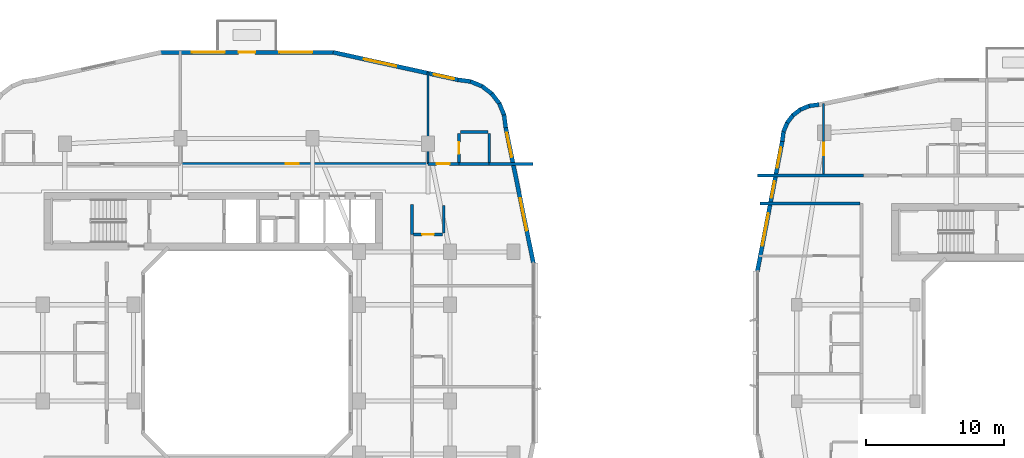
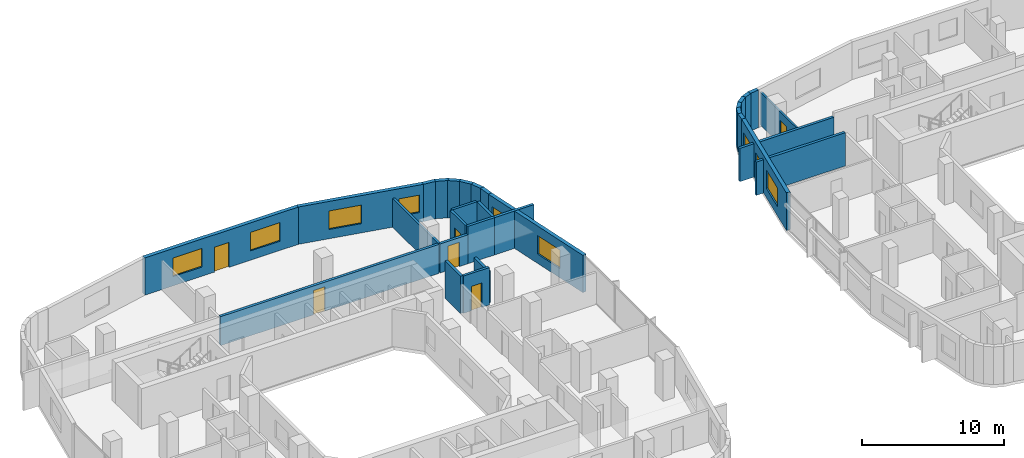
# One storey, part 12 of 22: 30 walls, 9 windows, 6 doors, 15 openings.
"""IFC4 building model written with IfcOpenShell, lengths in metres."""

from ifc_helpers import new_model, si_unit, derived_unit, direction, frame, frame_2d, origin, place, context, subcontext, project, spatial, rectangle, extrude, material, layer, layer_set, type_object, element, fill, save


model = new_model("IFC4")

# Units and contexts
model_context = context("Model", 3, precision=1e-05, world=origin(), true_north=direction((0.0, 1.0)))
body_context = subcontext(model_context, "Body", "Model", "MODEL_VIEW")
ifc_project = project(units=[si_unit("LENGTHUNIT", "METRE"), si_unit("AREAUNIT", "SQUARE_METRE"), si_unit("VOLUMEUNIT", "CUBIC_METRE"), si_unit("PLANEANGLEUNIT", "RADIAN"), si_unit("MASSUNIT", "GRAM", prefix="KILO"), derived_unit("THERMALTRANSMITTANCEUNIT", [(si_unit("POWERUNIT", "WATT"), 1), (si_unit("LENGTHUNIT", "METRE"), -2), (si_unit("THERMODYNAMICTEMPERATUREUNIT", "KELVIN"), -1)])], contexts=[model_context])

# Site, building, storey
site_placement = place(None, origin())
site = spatial("IfcSite", under=ifc_project, at=site_placement, CompositionType="ELEMENT")
building_placement = place(site_placement, origin())
building = spatial("IfcBuilding", under=site, at=building_placement, Name="Kivonza Crest Hotel", CompositionType="ELEMENT")
storey_placement = place(building_placement, frame((0.0, 0.0, 59.0)))
storey = spatial("IfcBuildingStorey", under=building, at=storey_placement, Name="L15", CompositionType="ELEMENT", Elevation=59.0)

# Wall
ifc_material_1 = material(Name="High-density acoustic masonry inter-tenancy wall", Category="masonry")
ifc_layer_1 = layer(ifc_material_1, 0.179931640625)
ifc_layer_set_1 = layer_set([ifc_layer_1], Name="High-density acoustic masonry inter-tenancy wall")
wall_type_1 = type_object("IfcWallType", Name="WL-ACOU-180", PredefinedType="SOLIDWALL", material=ifc_layer_set_1)
wall_1_placement = place(storey_placement, frame((34.199951171875, 38.75, 0.0), z_axis=(0.0, 0.0, 1.0), x_axis=(0.0, 1.0, 0.0)))
element("IfcWall", 1, at=wall_1_placement, inside=storey, type_object=wall_type_1, Name="L15 interior partition WA-L15-T1N-DIV2", PredefinedType="SOLIDWALL", context=body_context, shape_type="SweptSolid", body=[
    extrude(rectangle(XDim=6.674072265625, YDim=0.179931640625, at=frame_2d((3.3369140625, 0.0))), origin(), (0.0, 0.0, 1.0), 2.4951171875),
])

# Wall, opening, door
ifc_material_2 = material(Name="Autoclaved aerated concrete blockwork", Category="masonry")
ifc_layer_2 = layer(ifc_material_2, 0.219970703125)
ifc_layer_set_2 = layer_set([ifc_layer_2], Name="Autoclaved aerated concrete blockwork")
wall_type_2 = type_object("IfcWallType", Name="WL-ACOU-220", PredefinedType="SOLIDWALL", material=ifc_layer_set_2)
wall_2_placement = place(storey_placement, frame((16.300048828125, 38.75, 0.0), z_axis=(0.0, 0.0, 1.0), x_axis=(1.0, 0.0, 0.0)))
wall_2 = element("IfcWall", 2, at=wall_2_placement, inside=storey, type_object=wall_type_2, Name="L15 interior partition WA-L15-HK-MAIN-S", PredefinedType="SOLIDWALL", context=body_context, shape_type="SweptSolid", body=[
    extrude(rectangle(XDim=17.800048828125, YDim=0.219970703125, at=frame_2d((8.89990234375, 0.0))), origin(), (0.0, 0.0, 1.0), 2.4951171875),
])
opening_1_placement = place(wall_2_placement, frame((7.572998046875, 0.0, 0.0)))
opening_1 = element("IfcOpeningElement", 3, at=opening_1_placement, cuts=wall_2, Name="Opening DF-60S", PredefinedType="OPENING", context=body_context, shape_type="SweptSolid", body=[
    extrude(rectangle(XDim=0.949951171875, YDim=2.10009765625, at=frame_2d((0.47509765625, 1.050048828125))), frame((0.0, 0.1201171875, 0.0), z_axis=(0.0, -1.0, 0.0), x_axis=(1.0, 0.0, 0.0)), (0.0, 0.0, 1.0), 0.239990234375),
])
ifc_material_3 = material(Name="Hardwood timber oak", Category="wood")
door_type_1 = type_object("IfcDoorType", Name="DR-FD60-950", OperationType="NOTDEFINED", PredefinedType="DOOR", material=ifc_material_3)
door_1_placement = place(opening_1_placement, origin())
door_1 = element("IfcDoor", 4, at=door_1_placement, inside=storey, type_object=door_type_1, Name="L15 Housekeeping and Linen Room door", OperationType="SINGLE_SWING_RIGHT", OverallHeight=2.10009765625, OverallWidth=0.949951171875, PredefinedType="DOOR", context=body_context, shape_type="SweptSolid", body=[
    extrude(rectangle(XDim=0.949951171875, YDim=2.10009765625, at=frame_2d((0.47509765625, 1.050048828125))), frame((0.0, 0.02490234375, 0.0), z_axis=(0.0, -1.0, 0.0), x_axis=(1.0, 0.0, 0.0)), (0.0, 0.0, 1.0), 0.050048828125),
])
fill(opening_1, door_1)

# Walls
wall_3_placement = place(storey_placement, frame((38.64990234375, 38.75, 0.0), z_axis=(0.0, 0.0, 1.0), x_axis=(1.0, 0.0, 0.0)))
element("IfcWall", 5, at=wall_3_placement, inside=storey, type_object=wall_type_2, Name="L15 interior partition WA-L15-N02-XCORR", PredefinedType="SOLIDWALL", context=body_context, shape_type="SweptSolid", body=[
    extrude(rectangle(XDim=3.190185546875, YDim=0.219970703125, at=frame_2d((1.59521484375, 0.0))), origin(), (0.0, 0.0, 1.0), 3.219970703125),
])
wall_4_placement = place(storey_placement, frame((36.449951171875, 38.75, 0.0), z_axis=(0.0, 0.0, 1.0), x_axis=(1.0, 0.0, 0.0)))
element("IfcWall", 6, at=wall_4_placement, inside=storey, type_object=wall_type_2, Name="L15 interior partition WA-L15-N02-BCORR", PredefinedType="SOLIDWALL", context=body_context, shape_type="SweptSolid", body=[
    extrude(rectangle(XDim=2.199951171875, YDim=0.219970703125, at=frame_2d((1.10009765625, 0.0))), origin(), (0.0, 0.0, 1.0), 3.219970703125),
])

# Wall, opening, door
wall_5_placement = place(storey_placement, frame((34.199951171875, 38.75, 0.0), z_axis=(0.0, 0.0, 1.0), x_axis=(1.0, 0.0, 0.0)))
wall_5 = element("IfcWall", 7, at=wall_5_placement, inside=storey, type_object=wall_type_2, Name="L15 interior partition WA-L15-N02-MCORR", PredefinedType="SOLIDWALL", context=body_context, shape_type="SweptSolid", body=[
    extrude(rectangle(XDim=2.25, YDim=0.219970703125, at=frame_2d((1.125, 0.0))), origin(), (0.0, 0.0, 1.0), 2.4951171875),
])
opening_2_placement = place(wall_5_placement, frame((0.6298828125, 0.0, 0.0)))
opening_2 = element("IfcOpeningElement", 8, at=opening_2_placement, cuts=wall_5, Name="Opening DU-60", PredefinedType="OPENING", context=body_context, shape_type="SweptSolid", body=[
    extrude(rectangle(XDim=0.949951171875, YDim=2.10009765625, at=frame_2d((0.47509765625, 1.050048828125))), frame((0.0, 0.1201171875, 0.0), z_axis=(0.0, -1.0, 0.0), x_axis=(1.0, 0.0, 0.0)), (0.0, 0.0, 1.0), 0.239990234375),
])
door_type_2 = type_object("IfcDoorType", Name="DR-UNIT-950", OperationType="NOTDEFINED", PredefinedType="DOOR", material=ifc_material_3)
door_2_placement = place(opening_2_placement, origin())
door_2 = element("IfcDoor", 9, at=door_2_placement, inside=storey, type_object=door_type_2, Name="L15 N02 guest unit entrance fire door", OperationType="SINGLE_SWING_RIGHT", OverallHeight=2.10009765625, OverallWidth=0.949951171875, PredefinedType="DOOR", context=body_context, shape_type="SweptSolid", body=[
    extrude(rectangle(XDim=0.949951171875, YDim=2.10009765625, at=frame_2d((0.47509765625, 1.050048828125))), frame((0.0, 0.02490234375, 0.0), z_axis=(0.0, -1.0, 0.0), x_axis=(1.0, 0.0, 0.0)), (0.0, 0.0, 1.0), 0.050048828125),
])
fill(opening_2, door_2)

# Walls
wall_6_placement = place(storey_placement, frame((33.050048828125, 33.60009765625, 0.0), z_axis=(0.0, 0.0, 1.0), x_axis=(0.0, 1.0, 0.0)))
element("IfcWall", 10, at=wall_6_placement, inside=storey, type_object=wall_type_2, Name="L15 interior partition WA-L15-E10-BCORR", PredefinedType="SOLIDWALL", context=body_context, shape_type="SweptSolid", body=[
    extrude(rectangle(XDim=2.199951171875, YDim=0.219970703125, at=frame_2d((1.10009765625, 0.0))), origin(), (0.0, 0.0, 1.0), 3.219970703125),
])
wall_7_placement = place(storey_placement, frame((58.159912109375, 37.89990234375, 0.0), z_axis=(0.0, 0.0, 1.0), x_axis=(1.0, 0.0, 0.0)))
element("IfcWall", 11, at=wall_7_placement, inside=storey, type_object=wall_type_2, Name="L15 interior partition WA-L15-A01-LCORR", PredefinedType="SOLIDWALL", context=body_context, shape_type="SweptSolid", body=[
    extrude(rectangle(XDim=7.690185546875, YDim=0.219970703125, at=frame_2d((3.84521484375, 0.0))), origin(), (0.0, 0.0, 1.0), 2.864990234375),
])
wall_8_placement = place(storey_placement, frame((58.320068359375, 35.860107421875, 0.0), z_axis=(0.0, 0.0, 1.0), x_axis=(1.0, 0.0, 0.0)))
element("IfcWall", 12, at=wall_8_placement, inside=storey, type_object=wall_type_2, Name="L15 interior partition WA-L15-T2W-ENDN", PredefinedType="SOLIDWALL", context=body_context, shape_type="SweptSolid", body=[
    extrude(rectangle(XDim=7.280029296875, YDim=0.219970703125, at=frame_2d((3.64013671875, 0.0))), origin(), (0.0, 0.0, 1.0), 2.864990234375),
])

# Wall, openings, windows
ifc_material_4 = material(Name="Precast concrete C40/50", Category="concrete")
ifc_layer_3 = layer(ifc_material_4, 0.300048828125)
ifc_layer_set_3 = layer_set([ifc_layer_3], Name="Precast concrete C40/50")
wall_type_3 = type_object("IfcWallType", Name="WL-EXT-300", PredefinedType="STANDARD", material=ifc_layer_set_3)
wall_9_placement = place(storey_placement, frame((41.864013671875, 31.51611328125, 0.0), z_axis=(0.0, 0.0, 1.0), x_axis=(-0.199990901713, 0.979797754249, 0.0)))
wall_9 = element("IfcWall", 13, at=wall_9_placement, inside=storey, type_object=wall_type_3, Name="L15 T1 exterior insulated wall 18", PredefinedType="STANDARD", context=body_context, shape_type="SweptSolid", body=[
    extrude(rectangle(XDim=10.065185546875, YDim=0.300048828125, at=frame_2d((5.03271484375, 0.0))), origin(), (0.0, 0.0, 1.0), 3.219970703125),
])
opening_3_placement = place(wall_9_placement, frame((2.428955078125, 0.0, 0.800048828125)))
opening_3 = element("IfcOpeningElement", 14, at=opening_3_placement, cuts=wall_9, Name="Opening WN-05", PredefinedType="OPENING", context=body_context, shape_type="SweptSolid", body=[
    extrude(rectangle(XDim=2.39990234375, YDim=1.60009765625, at=frame_2d((1.199951171875, 0.800048828125))), frame((0.0, 0.16015625, 0.0), z_axis=(0.0, -1.0, 0.0), x_axis=(1.0, 0.0, 0.0)), (0.0, 0.0, 1.0), 0.320068359375),
])
opening_4_placement = place(wall_9_placement, frame((7.886962890625, 0.0, 0.85009765625)))
opening_4 = element("IfcOpeningElement", 15, at=opening_4_placement, cuts=wall_9, Name="Opening WN-03", PredefinedType="OPENING", context=body_context, shape_type="SweptSolid", body=[
    extrude(rectangle(XDim=1.800048828125, YDim=1.5, at=frame_2d((0.89990234375, 0.75))), frame((0.0, 0.16015625, 0.0), z_axis=(0.0, -1.0, 0.0), x_axis=(1.0, 0.0, 0.0)), (0.0, 0.0, 1.0), 0.320068359375),
])
ifc_material_5 = material(Name="Thermally broken bronze aluminium and low-E double glazing", Category="aluminium")
window_type_1 = type_object("IfcWindowType", Name="WN-180x150", PartitioningType="DOUBLE_PANEL_VERTICAL", PredefinedType="WINDOW", material=ifc_material_5)
window_1_placement = place(opening_4_placement, origin())
window_1 = element("IfcWindow", 16, at=window_1_placement, inside=storey, type_object=window_type_1, Name="L15 T1 facade window 18 bay 2", OverallHeight=1.5, OverallWidth=1.800048828125, PartitioningType="SINGLE_PANEL", PredefinedType="WINDOW", context=body_context, shape_type="SweptSolid", body=[
    extrude(rectangle(XDim=1.800048828125, YDim=1.5, at=frame_2d((0.89990234375, 0.75))), frame((0.0, 0.030029296875, 0.0), z_axis=(0.0, -1.0, 0.0), x_axis=(1.0, 0.0, 0.0)), (0.0, 0.0, 1.0), 0.06005859375),
])
fill(opening_4, window_1)
window_type_2 = type_object("IfcWindowType", Name="WN-240x160", PartitioningType="TRIPLE_PANEL_VERTICAL", PredefinedType="WINDOW", material=ifc_material_5)
window_2_placement = place(opening_3_placement, origin())
window_2 = element("IfcWindow", 17, at=window_2_placement, inside=storey, type_object=window_type_2, Name="L15 T1 facade window 18 bay 1", OverallHeight=1.60009765625, OverallWidth=2.39990234375, PartitioningType="SINGLE_PANEL", PredefinedType="WINDOW", context=body_context, shape_type="SweptSolid", body=[
    extrude(rectangle(XDim=2.39990234375, YDim=1.60009765625, at=frame_2d((1.199951171875, 0.800048828125))), frame((0.0, 0.030029296875, 0.0), z_axis=(0.0, -1.0, 0.0), x_axis=(1.0, 0.0, 0.0)), (0.0, 0.0, 1.0), 0.06005859375),
])
fill(opening_3, window_2)

# Walls
wall_10_placement = place(storey_placement, frame((39.85205078125, 41.3720703125, 0.0), z_axis=(0.0, 0.0, 1.0), x_axis=(-0.131174864804, 0.991359246108, 0.0)))
element("IfcWall", 18, at=wall_10_placement, inside=storey, type_object=wall_type_3, Name="L15 T1 exterior insulated wall 19", PredefinedType="STANDARD", context=body_context, shape_type="SweptSolid", body=[
    extrude(rectangle(XDim=0.93798828125, YDim=0.300048828125, at=frame_2d((0.468994140625, 0.0))), origin(), (0.0, 0.0, 1.0), 3.219970703125),
])
wall_11_placement = place(storey_placement, frame((39.748046875, 42.251953125, 0.0), z_axis=(0.0, 0.0, 1.0), x_axis=(-0.382344263057, 0.924019948111, 0.0)))
element("IfcWall", 19, at=wall_11_placement, inside=storey, type_object=wall_type_3, Name="L15 T1 exterior insulated wall 20", PredefinedType="STANDARD", context=body_context, shape_type="SweptSolid", body=[
    extrude(rectangle(XDim=0.95458984375, YDim=0.300048828125, at=frame_2d((0.477294921875, 0.0))), origin(), (0.0, 0.0, 1.0), 3.219970703125),
])
wall_12_placement = place(storey_placement, frame((39.4140625, 43.089111328125, 0.0), z_axis=(0.0, 0.0, 1.0), x_axis=(-0.608474481025, 0.793573440799, 0.0)))
element("IfcWall", 20, at=wall_12_placement, inside=storey, type_object=wall_type_3, Name="L15 T1 exterior insulated wall 21", PredefinedType="STANDARD", context=body_context, shape_type="SweptSolid", body=[
    extrude(rectangle(XDim=0.954833984375, YDim=0.300048828125, at=frame_2d((0.4775390625, 0.0))), origin(), (0.0, 0.0, 1.0), 3.219970703125),
])
wall_13_placement = place(storey_placement, frame((38.875, 43.81201171875, 0.0), z_axis=(0.0, 0.0, 1.0), x_axis=(-0.793668068435, 0.608351047625, 0.0)))
element("IfcWall", 21, at=wall_13_placement, inside=storey, type_object=wall_type_3, Name="L15 T1 exterior insulated wall 22", PredefinedType="STANDARD", context=body_context, shape_type="SweptSolid", body=[
    extrude(rectangle(XDim=0.955078125, YDim=0.300048828125, at=frame_2d((0.4775390625, 0.0))), origin(), (0.0, 0.0, 1.0), 3.219970703125),
])
wall_14_placement = place(storey_placement, frame((38.166015625, 44.368896484375, 0.0), z_axis=(0.0, 0.0, 1.0), x_axis=(-0.924019948111, 0.382344263057, 0.0)))
element("IfcWall", 22, at=wall_14_placement, inside=storey, type_object=wall_type_3, Name="L15 T1 exterior insulated wall 23", PredefinedType="STANDARD", context=body_context, shape_type="SweptSolid", body=[
    extrude(rectangle(XDim=0.95458984375, YDim=0.300048828125, at=frame_2d((0.477294921875, 0.0))), origin(), (0.0, 0.0, 1.0), 3.219970703125),
])
wall_15_placement = place(storey_placement, frame((37.3369140625, 44.72509765625, 0.0), z_axis=(0.0, 0.0, 1.0), x_axis=(-0.991454295543, 0.130454512571, 0.0)))
element("IfcWall", 23, at=wall_15_placement, inside=storey, type_object=wall_type_3, Name="L15 T1 exterior insulated wall 24", PredefinedType="STANDARD", context=body_context, shape_type="SweptSolid", body=[
    extrude(rectangle(XDim=0.97314453125, YDim=0.300048828125, at=frame_2d((0.486572265625, 0.0))), origin(), (0.0, 0.0, 1.0), 3.219970703125),
])

# Wall, openings, windows
wall_16_placement = place(storey_placement, frame((36.3759765625, 44.85205078125, 0.0), z_axis=(0.0, 0.0, 1.0), x_axis=(-0.976540764801, 0.215332614068, 0.0)))
wall_16 = element("IfcWall", 24, at=wall_16_placement, inside=storey, type_object=wall_type_3, Name="L15 T1 exterior insulated wall 25", PredefinedType="STANDARD", context=body_context, shape_type="SweptSolid", body=[
    extrude(rectangle(XDim=9.287841796875, YDim=0.300048828125, at=frame_2d((4.64404296875, 0.0))), origin(), (0.0, 0.0, 1.0), 3.219970703125),
])
opening_5_placement = place(wall_16_placement, frame((0.299072265625, 0.0, 0.85009765625)))
opening_5 = element("IfcOpeningElement", 25, at=opening_5_placement, cuts=wall_16, Name="Opening WN-02", PredefinedType="OPENING", context=body_context, shape_type="SweptSolid", body=[
    extrude(rectangle(XDim=1.5, YDim=1.5, at=frame_2d((0.75, 0.75))), frame((0.0, 0.16015625, 0.0), z_axis=(0.0, -1.0, 0.0), x_axis=(1.0, 0.0, 0.0)), (0.0, 0.0, 1.0), 0.320068359375),
])
opening_6_placement = place(wall_16_placement, frame((4.597900390625, 0.0, 0.800048828125)))
opening_6 = element("IfcOpeningElement", 26, at=opening_6_placement, cuts=wall_16, Name="Opening WN-05", PredefinedType="OPENING", context=body_context, shape_type="SweptSolid", body=[
    extrude(rectangle(XDim=2.39990234375, YDim=1.60009765625, at=frame_2d((1.199951171875, 0.800048828125))), frame((0.0, 0.16015625, 0.0), z_axis=(0.0, -1.0, 0.0), x_axis=(1.0, 0.0, 0.0)), (0.0, 0.0, 1.0), 0.320068359375),
])
window_type_3 = type_object("IfcWindowType", Name="WN-150x150", PartitioningType="DOUBLE_PANEL_VERTICAL", PredefinedType="WINDOW", material=ifc_material_5)
window_3_placement = place(opening_5_placement, origin())
window_3 = element("IfcWindow", 27, at=window_3_placement, inside=storey, type_object=window_type_3, Name="L15 T1 facade window 25 bay 1", OverallHeight=1.5, OverallWidth=1.5, PartitioningType="SINGLE_PANEL", PredefinedType="WINDOW", context=body_context, shape_type="SweptSolid", body=[
    extrude(rectangle(XDim=1.5, YDim=1.5, at=frame_2d((0.75, 0.75))), frame((0.0, 0.030029296875, 0.0), z_axis=(0.0, -1.0, 0.0), x_axis=(1.0, 0.0, 0.0)), (0.0, 0.0, 1.0), 0.06005859375),
])
fill(opening_5, window_3)
window_4_placement = place(opening_6_placement, origin())
window_4 = element("IfcWindow", 28, at=window_4_placement, inside=storey, type_object=window_type_2, Name="L15 T1 facade window 25 bay 2", OverallHeight=1.60009765625, OverallWidth=2.39990234375, PartitioningType="SINGLE_PANEL", PredefinedType="WINDOW", context=body_context, shape_type="SweptSolid", body=[
    extrude(rectangle(XDim=2.39990234375, YDim=1.60009765625, at=frame_2d((1.199951171875, 0.800048828125))), frame((0.0, 0.030029296875, 0.0), z_axis=(0.0, -1.0, 0.0), x_axis=(1.0, 0.0, 0.0)), (0.0, 0.0, 1.0), 0.06005859375),
])
fill(opening_6, window_4)

# Wall, openings, door, windows
wall_17_placement = place(storey_placement, frame((27.35302734375, 46.85009765625, 0.0), z_axis=(0.0, 0.0, 1.0), x_axis=(-1.0, 0.0, 0.0)))
wall_17 = element("IfcWall", 29, at=wall_17_placement, inside=storey, type_object=wall_type_3, Name="L15 T1 exterior insulated wall 26", PredefinedType="STANDARD", context=body_context, shape_type="SweptSolid", body=[
    extrude(rectangle(XDim=12.591064453125, YDim=0.300048828125, at=frame_2d((6.29541015625, 0.0))), origin(), (0.0, 0.0, 1.0), 3.219970703125),
])
opening_7_placement = place(wall_17_placement, frame((5.712890625, 0.0, 0.0)))
opening_7 = element("IfcOpeningElement", 30, at=opening_7_placement, cuts=wall_17, Name="Opening DT-120", PredefinedType="OPENING", context=body_context, shape_type="SweptSolid", body=[
    extrude(rectangle(XDim=1.199951171875, YDim=2.14990234375, at=frame_2d((0.60009765625, 1.074951171875))), frame((0.0, 0.16015625, 0.0), z_axis=(0.0, -1.0, 0.0), x_axis=(1.0, 0.0, 0.0)), (0.0, 0.0, 1.0), 0.320068359375),
])
opening_8_placement = place(wall_17_placement, frame((1.552001953125, 0.0, 0.800048828125)))
opening_8 = element("IfcOpeningElement", 31, at=opening_8_placement, cuts=wall_17, Name="Opening WN-05", PredefinedType="OPENING", context=body_context, shape_type="SweptSolid", body=[
    extrude(rectangle(XDim=2.39990234375, YDim=1.60009765625, at=frame_2d((1.199951171875, 0.800048828125))), frame((0.0, 0.16015625, 0.0), z_axis=(0.0, -1.0, 0.0), x_axis=(1.0, 0.0, 0.0)), (0.0, 0.0, 1.0), 0.320068359375),
])
opening_9_placement = place(wall_17_placement, frame((7.907958984375, 0.0, 0.800048828125)))
opening_9 = element("IfcOpeningElement", 32, at=opening_9_placement, cuts=wall_17, Name="Opening WN-05", PredefinedType="OPENING", context=body_context, shape_type="SweptSolid", body=[
    extrude(rectangle(XDim=2.39990234375, YDim=1.60009765625, at=frame_2d((1.199951171875, 0.800048828125))), frame((0.0, 0.16015625, 0.0), z_axis=(0.0, -1.0, 0.0), x_axis=(1.0, 0.0, 0.0)), (0.0, 0.0, 1.0), 0.320068359375),
])
ifc_material_6 = material(Name="Anodised bronze aluminium and laminated safety glass", Category="aluminium")
door_type_3 = type_object("IfcDoorType", Name="DR-TERR-1200", OperationType="NOTDEFINED", PredefinedType="DOOR", material=ifc_material_6)
door_3_placement = place(opening_7_placement, frame((1.199951171875, 0.0, 0.0), z_axis=(0.0, 0.0, 1.0), x_axis=(-1.0, 0.0, 0.0)))
door_3 = element("IfcDoor", 33, at=door_3_placement, inside=storey, type_object=door_type_3, Name="T1 L15 NE sky-garden bridge access door", OperationType="SINGLE_SWING_LEFT", OverallHeight=2.14990234375, OverallWidth=1.199951171875, PredefinedType="DOOR", context=body_context, shape_type="SweptSolid", body=[
    extrude(rectangle(XDim=1.199951171875, YDim=2.14990234375, at=frame_2d((0.60009765625, 1.074951171875))), frame((0.0, 0.02490234375, 0.0), z_axis=(0.0, -1.0, 0.0), x_axis=(1.0, 0.0, 0.0)), (0.0, 0.0, 1.0), 0.050048828125),
])
fill(opening_7, door_3)
window_5_placement = place(opening_8_placement, origin())
window_5 = element("IfcWindow", 34, at=window_5_placement, inside=storey, type_object=window_type_2, Name="L15 T1 facade window 26 bay 1", OverallHeight=1.60009765625, OverallWidth=2.39990234375, PartitioningType="SINGLE_PANEL", PredefinedType="WINDOW", context=body_context, shape_type="SweptSolid", body=[
    extrude(rectangle(XDim=2.39990234375, YDim=1.60009765625, at=frame_2d((1.199951171875, 0.800048828125))), frame((0.0, 0.030029296875, 0.0), z_axis=(0.0, -1.0, 0.0), x_axis=(1.0, 0.0, 0.0)), (0.0, 0.0, 1.0), 0.06005859375),
])
fill(opening_8, window_5)
window_6_placement = place(opening_9_placement, origin())
window_6 = element("IfcWindow", 35, at=window_6_placement, inside=storey, type_object=window_type_2, Name="L15 T1 facade window 26 bay 2", OverallHeight=1.60009765625, OverallWidth=2.39990234375, PartitioningType="SINGLE_PANEL", PredefinedType="WINDOW", context=body_context, shape_type="SweptSolid", body=[
    extrude(rectangle(XDim=2.39990234375, YDim=1.60009765625, at=frame_2d((1.199951171875, 0.800048828125))), frame((0.0, 0.030029296875, 0.0), z_axis=(0.0, -1.0, 0.0), x_axis=(1.0, 0.0, 0.0)), (0.0, 0.0, 1.0), 0.06005859375),
])
fill(opening_9, window_6)

# Walls
wall_18_placement = place(storey_placement, frame((62.626953125, 43.052001953125, 0.0), z_axis=(0.0, 0.0, 1.0), x_axis=(-0.991480488834, -0.130255288807, 0.0)))
element("IfcWall", 36, at=wall_18_placement, inside=storey, type_object=wall_type_3, Name="L15 T2 exterior insulated wall 28", PredefinedType="STANDARD", context=body_context, shape_type="SweptSolid", body=[
    extrude(rectangle(XDim=0.72900390625, YDim=0.300048828125, at=frame_2d((0.364501953125, 0.0))), origin(), (0.0, 0.0, 1.0), 3.25),
])
for number, where, z_axis, x_axis, name in (
    (37, (61.955078125, 42.97607421875, 0.0), (0.0, 0.0, 1.0), (-0.923521684703, -0.383546213491, 0.0), "L15 T2 exterior insulated wall 29"),
    (38, (61.31103515625, 42.720947265625, 0.0), (0.0, 0.0, 1.0), (-0.79363269798, -0.608397189915, 0.0), "L15 T2 exterior insulated wall 30"),
    (39, (60.75390625, 42.30908203125, 0.0), (0.0, 0.0, 1.0), (-0.608397189915, -0.79363269798, 0.0), "L15 T2 exterior insulated wall 31"),
    (40, (60.323974609375, 41.76611328125, 0.0), (0.0, 0.0, 1.0), (-0.383151213466, -0.923685632463, 0.0), "L15 T2 exterior insulated wall 32"),
):
    element("IfcWall", number, at=place(storey_placement, frame(where, z_axis=z_axis, x_axis=x_axis)), inside=storey, type_object=wall_type_3, Name=name, PredefinedType="STANDARD", context=body_context, shape_type="SweptSolid", body=[
        extrude(rectangle(XDim=0.74609375, YDim=0.300048828125, at=frame_2d((0.373046875, 0.0))), origin(), (0.0, 0.0, 1.0), 3.25),
    ])
wall_19_placement = place(storey_placement, frame((60.047119140625, 41.131103515625, 0.0), z_axis=(0.0, 0.0, 1.0), x_axis=(-0.129653178221, -0.991559404866, 0.0)))
element("IfcWall", 41, at=wall_19_placement, inside=storey, type_object=wall_type_3, Name="L15 T2 exterior insulated wall 33", PredefinedType="STANDARD", context=body_context, shape_type="SweptSolid", body=[
    extrude(rectangle(XDim=0.764404296875, YDim=0.300048828125, at=frame_2d((0.38232421875, 0.0))), origin(), (0.0, 0.0, 1.0), 3.25),
])

# Wall, openings, windows
wall_20_placement = place(storey_placement, frame((59.948974609375, 40.3798828125, 0.0), z_axis=(0.0, 0.0, 1.0), x_axis=(-0.188087874316, -0.982152203854, 0.0)))
wall_20 = element("IfcWall", 42, at=wall_20_placement, inside=storey, type_object=wall_type_3, Name="L15 T2 exterior insulated wall 34", PredefinedType="STANDARD", context=body_context, shape_type="SweptSolid", body=[
    extrude(rectangle(XDim=9.6337890625, YDim=0.300048828125, at=frame_2d((4.81689453125, 0.0))), origin(), (0.0, 0.0, 1.0), 3.25),
])
opening_10_placement = place(wall_20_placement, frame((0.451904296875, 0.0, 0.85009765625)))
opening_10 = element("IfcOpeningElement", 43, at=opening_10_placement, cuts=wall_20, Name="Opening WN-02", PredefinedType="OPENING", context=body_context, shape_type="SweptSolid", body=[
    extrude(rectangle(XDim=1.5, YDim=1.5, at=frame_2d((0.75, 0.75))), frame((0.0, 0.16015625, 0.0), z_axis=(0.0, -1.0, 0.0), x_axis=(1.0, 0.0, 0.0)), (0.0, 0.0, 1.0), 0.320068359375),
])
opening_11_placement = place(wall_20_placement, frame((2.964111328125, 0.0, 0.85009765625)))
opening_11 = element("IfcOpeningElement", 44, at=opening_11_placement, cuts=wall_20, Name="Opening WN-01", PredefinedType="OPENING", context=body_context, shape_type="SweptSolid", body=[
    extrude(rectangle(XDim=1.199951171875, YDim=1.5, at=frame_2d((0.60009765625, 0.75))), frame((0.0, 0.16015625, 0.0), z_axis=(0.0, -1.0, 0.0), x_axis=(1.0, 0.0, 0.0)), (0.0, 0.0, 1.0), 0.320068359375),
])
opening_12_placement = place(wall_20_placement, frame((5.3369140625, 0.0, 0.800048828125)))
opening_12 = element("IfcOpeningElement", 45, at=opening_12_placement, cuts=wall_20, Name="Opening WN-05", PredefinedType="OPENING", context=body_context, shape_type="SweptSolid", body=[
    extrude(rectangle(XDim=2.39990234375, YDim=1.60009765625, at=frame_2d((1.199951171875, 0.800048828125))), frame((0.0, 0.16015625, 0.0), z_axis=(0.0, -1.0, 0.0), x_axis=(1.0, 0.0, 0.0)), (0.0, 0.0, 1.0), 0.320068359375),
])
window_type_4 = type_object("IfcWindowType", Name="WN-120x150", PartitioningType="SINGLE_PANEL", PredefinedType="WINDOW", material=ifc_material_5)
window_7_placement = place(opening_11_placement, origin())
window_7 = element("IfcWindow", 46, at=window_7_placement, inside=storey, type_object=window_type_4, Name="L15 T2 facade window 34 bay 2", OverallHeight=1.5, OverallWidth=1.199951171875, PartitioningType="SINGLE_PANEL", PredefinedType="WINDOW", context=body_context, shape_type="SweptSolid", body=[
    extrude(rectangle(XDim=1.199951171875, YDim=1.5, at=frame_2d((0.60009765625, 0.75))), frame((0.0, 0.030029296875, 0.0), z_axis=(0.0, -1.0, 0.0), x_axis=(1.0, 0.0, 0.0)), (0.0, 0.0, 1.0), 0.06005859375),
])
fill(opening_11, window_7)
window_8_placement = place(opening_10_placement, origin())
window_8 = element("IfcWindow", 47, at=window_8_placement, inside=storey, type_object=window_type_3, Name="L15 T2 facade window 34 bay 1", OverallHeight=1.5, OverallWidth=1.5, PartitioningType="SINGLE_PANEL", PredefinedType="WINDOW", context=body_context, shape_type="SweptSolid", body=[
    extrude(rectangle(XDim=1.5, YDim=1.5, at=frame_2d((0.75, 0.75))), frame((0.0, 0.030029296875, 0.0), z_axis=(0.0, -1.0, 0.0), x_axis=(1.0, 0.0, 0.0)), (0.0, 0.0, 1.0), 0.06005859375),
])
fill(opening_10, window_8)
window_9_placement = place(opening_12_placement, origin())
window_9 = element("IfcWindow", 48, at=window_9_placement, inside=storey, type_object=window_type_2, Name="L15 T2 facade window 34 bay 3", OverallHeight=1.60009765625, OverallWidth=2.39990234375, PartitioningType="SINGLE_PANEL", PredefinedType="WINDOW", context=body_context, shape_type="SweptSolid", body=[
    extrude(rectangle(XDim=2.39990234375, YDim=1.60009765625, at=frame_2d((1.199951171875, 0.800048828125))), frame((0.0, 0.030029296875, 0.0), z_axis=(0.0, -1.0, 0.0), x_axis=(1.0, 0.0, 0.0)), (0.0, 0.0, 1.0), 0.06005859375),
])
fill(opening_12, window_9)

# Wall, opening, door
ifc_material_7 = material(Name="Twin-stud acoustic gypsum board partition", Category="gypsum")
ifc_layer_4 = layer(ifc_material_7, 0.14990234375)
ifc_layer_set_4 = layer_set([ifc_layer_4], Name="Twin-stud acoustic gypsum board partition")
wall_type_4 = type_object("IfcWallType", Name="WL-PART-150", PredefinedType="PARTITIONING", material=ifc_layer_set_4)
wall_21_placement = place(storey_placement, frame((62.9599609375, 38.0, 0.0), z_axis=(0.0, 0.0, 1.0), x_axis=(0.0, 1.0, 0.0)))
wall_21 = element("IfcWall", 49, at=wall_21_placement, inside=storey, type_object=wall_type_4, Name="L15 interior partition WP-L15-A01-BDW1", PredefinedType="PARTITIONING", context=body_context, shape_type="SweptSolid", body=[
    extrude(rectangle(XDim=5.113037109375, YDim=0.14990234375, at=frame_2d((2.556640625, 0.0))), origin(), (0.0, 0.0, 1.0), 2.864990234375),
])
opening_13_placement = place(wall_21_placement, frame((1.3798828125, 0.0, 0.0)))
opening_13 = element("IfcOpeningElement", 50, at=opening_13_placement, cuts=wall_21, Name="Opening DI-90", PredefinedType="OPENING", context=body_context, shape_type="SweptSolid", body=[
    extrude(rectangle(XDim=0.89990234375, YDim=2.10009765625, at=frame_2d((0.449951171875, 1.050048828125))), frame((0.0, 0.0849609375, 0.0), z_axis=(0.0, -1.0, 0.0), x_axis=(1.0, 0.0, 0.0)), (0.0, 0.0, 1.0), 0.169921875),
])
door_type_4 = type_object("IfcDoorType", Name="DR-INT-900", OperationType="NOTDEFINED", PredefinedType="DOOR", material=ifc_material_3)
door_4_placement = place(opening_13_placement, origin())
door_4 = element("IfcDoor", 51, at=door_4_placement, inside=storey, type_object=door_type_4, Name="L15 A01 bedroom 1 door", OperationType="SINGLE_SWING_RIGHT", OverallHeight=2.10009765625, OverallWidth=0.89990234375, PredefinedType="DOOR", context=body_context, shape_type="SweptSolid", body=[
    extrude(rectangle(XDim=0.89990234375, YDim=2.10009765625, at=frame_2d((0.449951171875, 1.050048828125))), frame((0.0, 0.02490234375, 0.0), z_axis=(0.0, -1.0, 0.0), x_axis=(1.0, 0.0, 0.0)), (0.0, 0.0, 1.0), 0.050048828125),
])
fill(opening_13, door_4)

ifc_material_8 = material(Name="Moisture-resistant plumbing chase partition wall", Category="gypsum")
ifc_layer_5 = layer(ifc_material_8, 0.199951171875)
ifc_layer_set_5 = layer_set([ifc_layer_5], Name="Moisture-resistant plumbing chase partition wall")
wall_type_5 = type_object("IfcWallType", Name="WL-PLUMB-200", PredefinedType="PLUMBINGWALL", material=ifc_layer_set_5)
wall_22_placement = place(storey_placement, frame((36.449951171875, 38.85009765625, 0.0), z_axis=(0.0, 0.0, 1.0), x_axis=(0.0, 1.0, 0.0)))
wall_22 = element("IfcWall", 52, at=wall_22_placement, inside=storey, type_object=wall_type_5, Name="L15 interior partition WW-L15-N02-BV", PredefinedType="PLUMBINGWALL", context=body_context, shape_type="SweptSolid", body=[
    extrude(rectangle(XDim=2.099853515625, YDim=0.199951171875, at=frame_2d((1.0498046875, 0.0))), origin(), (0.0, 0.0, 1.0), 3.219970703125),
])
opening_14_placement = place(wall_22_placement, frame((0.625, 0.0, 0.0)))
opening_14 = element("IfcOpeningElement", 53, at=opening_14_placement, cuts=wall_22, Name="Opening DI-85", PredefinedType="OPENING", context=body_context, shape_type="SweptSolid", body=[
    extrude(rectangle(XDim=0.85009765625, YDim=2.10009765625, at=frame_2d((0.425048828125, 1.050048828125))), frame((0.0, 0.10986328125, 0.0), z_axis=(0.0, -1.0, 0.0), x_axis=(1.0, 0.0, 0.0)), (0.0, 0.0, 1.0), 0.219970703125),
])
door_type_5 = type_object("IfcDoorType", Name="DR-INT-850", OperationType="NOTDEFINED", PredefinedType="DOOR", material=ifc_material_3)
door_5_placement = place(opening_14_placement, origin())
door_5 = element("IfcDoor", 54, at=door_5_placement, inside=storey, type_object=door_type_5, Name="L15 N02 en-suite bathroom door", OperationType="SINGLE_SWING_LEFT", OverallHeight=2.10009765625, OverallWidth=0.85009765625, PredefinedType="DOOR", context=body_context, shape_type="SweptSolid", body=[
    extrude(rectangle(XDim=0.85009765625, YDim=2.10009765625, at=frame_2d((0.425048828125, 1.050048828125))), frame((0.0, 0.02490234375, 0.0), z_axis=(0.0, -1.0, 0.0), x_axis=(1.0, 0.0, 0.0)), (0.0, 0.0, 1.0), 0.050048828125),
])
fill(opening_14, door_5)

# Walls
wall_23_placement = place(storey_placement, frame((36.550048828125, 41.050048828125, 0.0), z_axis=(0.0, 0.0, 1.0), x_axis=(1.0, 0.0, 0.0)))
element("IfcWall", 55, at=wall_23_placement, inside=storey, type_object=wall_type_5, Name="L15 interior partition WW-L15-N02-BH", PredefinedType="PLUMBINGWALL", context=body_context, shape_type="SweptSolid", body=[
    extrude(rectangle(XDim=2.0, YDim=0.199951171875, at=frame_2d((1.0, 0.0))), origin(), (0.0, 0.0, 1.0), 3.219970703125),
])
wall_24_placement = place(storey_placement, frame((38.64990234375, 38.85009765625, 0.0), z_axis=(0.0, 0.0, 1.0), x_axis=(0.0, 1.0, 0.0)))
element("IfcWall", 56, at=wall_24_placement, inside=storey, type_object=wall_type_5, Name="L15 interior partition WW-L15-N02-BVE", PredefinedType="PLUMBINGWALL", context=body_context, shape_type="SweptSolid", body=[
    extrude(rectangle(XDim=2.099853515625, YDim=0.199951171875, at=frame_2d((1.0498046875, 0.0))), origin(), (0.0, 0.0, 1.0), 3.219970703125),
])

# Wall, opening, door
wall_25_placement = place(storey_placement, frame((33.14990234375, 33.60009765625, 0.0), z_axis=(0.0, 0.0, 1.0), x_axis=(1.0, 0.0, 0.0)))
wall_25 = element("IfcWall", 57, at=wall_25_placement, inside=storey, type_object=wall_type_5, Name="L15 interior partition WW-L15-E10-BH", PredefinedType="PLUMBINGWALL", context=body_context, shape_type="SweptSolid", body=[
    extrude(rectangle(XDim=2.10009765625, YDim=0.199951171875, at=frame_2d((1.050048828125, 0.0))), origin(), (0.0, 0.0, 1.0), 3.219970703125),
])
opening_15_placement = place(wall_25_placement, frame((0.625, 0.0, 0.0)))
opening_15 = element("IfcOpeningElement", 58, at=opening_15_placement, cuts=wall_25, Name="Opening DI-85", PredefinedType="OPENING", context=body_context, shape_type="SweptSolid", body=[
    extrude(rectangle(XDim=0.85009765625, YDim=2.10009765625, at=frame_2d((0.425048828125, 1.050048828125))), frame((0.0, 0.10986328125, 0.0), z_axis=(0.0, -1.0, 0.0), x_axis=(1.0, 0.0, 0.0)), (0.0, 0.0, 1.0), 0.219970703125),
])
door_6_placement = place(opening_15_placement, frame((0.85009765625, 0.0, 0.0), z_axis=(0.0, 0.0, 1.0), x_axis=(-1.0, 0.0, 0.0)))
door_6 = element("IfcDoor", 59, at=door_6_placement, inside=storey, type_object=door_type_5, Name="L15 E10 en-suite bathroom door", OperationType="SINGLE_SWING_LEFT", OverallHeight=2.10009765625, OverallWidth=0.85009765625, PredefinedType="DOOR", context=body_context, shape_type="SweptSolid", body=[
    extrude(rectangle(XDim=0.85009765625, YDim=2.10009765625, at=frame_2d((0.425048828125, 1.050048828125))), frame((0.0, 0.02490234375, 0.0), z_axis=(0.0, -1.0, 0.0), x_axis=(1.0, 0.0, 0.0)), (0.0, 0.0, 1.0), 0.050048828125),
])
fill(opening_15, door_6)

# Wall
wall_26_placement = place(storey_placement, frame((35.35009765625, 33.699951171875, 0.0), z_axis=(0.0, 0.0, 1.0), x_axis=(0.0, 1.0, 0.0)))
element("IfcWall", 60, at=wall_26_placement, inside=storey, type_object=wall_type_5, Name="L15 interior partition WW-L15-E10-BV", PredefinedType="PLUMBINGWALL", context=body_context, shape_type="SweptSolid", body=[
    extrude(rectangle(XDim=2.0, YDim=0.199951171875, at=frame_2d((1.0, 0.0))), origin(), (0.0, 0.0, 1.0), 2.7451171875),
])

save(model, "model.ifc")
